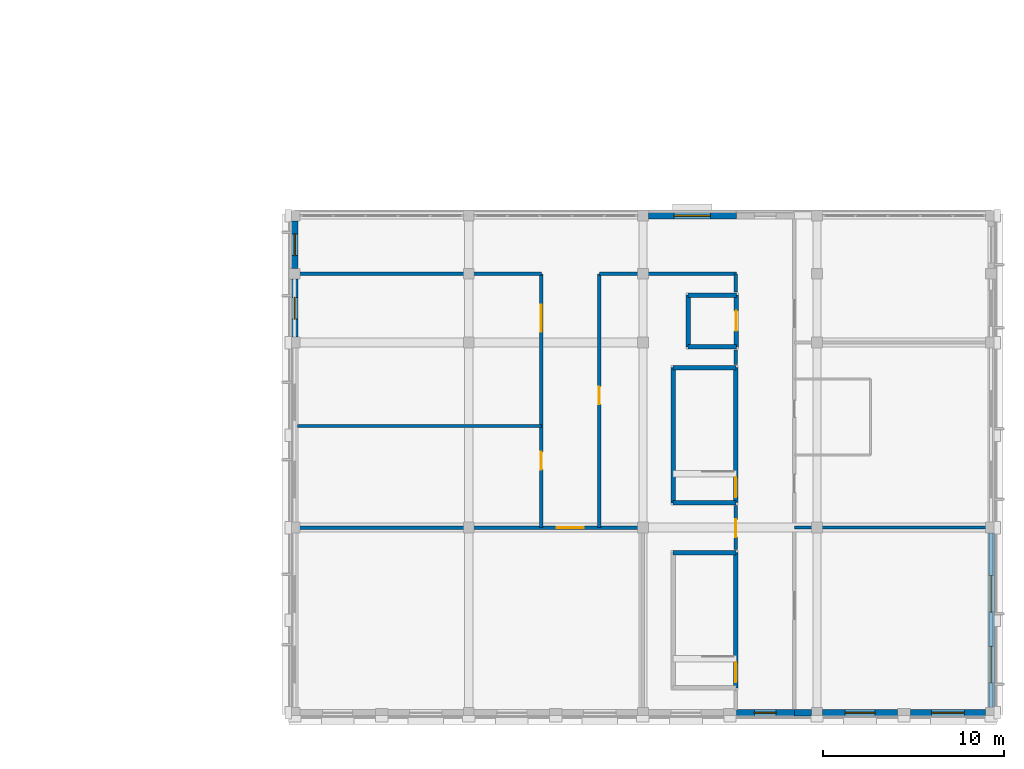
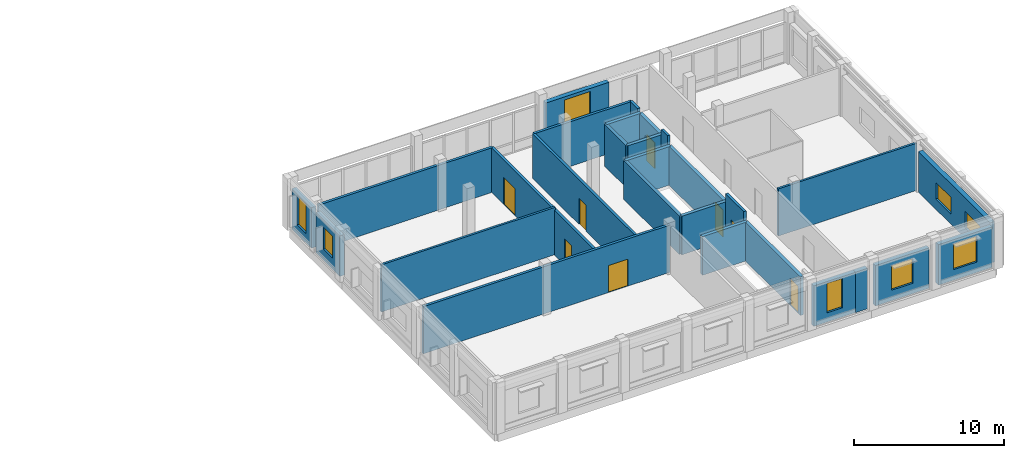
# One storey, part 83 of 93: 28 walls, 8 doors, 8 windows, 16 openings.
"""IFC4 building model written with IfcOpenShell, lengths in metres."""

from ifc_helpers import new_model, si_unit, direction, frame, frame_2d, origin, place, context, subcontext, project, spatial, rectangle, extrude, material, layer, layer_set, type_object, element, fill, save


model = new_model("IFC4")

# Units and contexts
model_context = context("Model", 3, precision=1e-05, world=origin(), true_north=direction((0.0, 1.0)))
body_context = subcontext(model_context, "Body", "Model", "MODEL_VIEW")
ifc_project = project(units=[si_unit("LENGTHUNIT", "METRE"), si_unit("AREAUNIT", "SQUARE_METRE"), si_unit("VOLUMEUNIT", "CUBIC_METRE"), si_unit("PLANEANGLEUNIT", "RADIAN"), si_unit("MASSUNIT", "GRAM", prefix="KILO")], contexts=[model_context])

# Site, building, storey
site_placement = place(None, origin())
site = spatial("IfcSite", under=ifc_project, at=site_placement, CompositionType="ELEMENT")
building_placement = place(site_placement, origin())
building = spatial("IfcBuilding", under=site, at=building_placement, Name="Vondelvale Polytechnic", CompositionType="ELEMENT")
storey_placement = place(building_placement, frame((0.0, 0.0, 18.0)))
storey = spatial("IfcBuildingStorey", under=building, at=storey_placement, Name="L04", CompositionType="ELEMENT", Elevation=18.0)

# Wall, opening, window
ifc_material_1 = material(Name="Amsterdam School iron-spot clinker clay brickwork", Category="masonry")
ifc_layer_1 = layer(ifc_material_1, 0.35009765625)
ifc_layer_set_1 = layer_set([ifc_layer_1], Name="WL-BRICK-350")
wall_type_1 = type_object("IfcWallType", Name="WL-BRICK-350", PredefinedType="SOLIDWALL", material=ifc_layer_set_1)
wall_1_placement = place(storey_placement, frame((161.949951171875, 0.0, 0.0), z_axis=(0.0, 0.0, 1.0), x_axis=(-1.0, 0.0, 0.0)))
wall_1 = element("IfcWall", 1, at=wall_1_placement, inside=storey, type_object=wall_type_1, Name="L04 exterior masonry facade wall", PredefinedType="SOLIDWALL", context=body_context, shape_type="SweptSolid", body=[
    extrude(rectangle(XDim=3.198974609375, YDim=0.35009765625, at=frame_2d((1.599609375, 0.0))), origin(), (0.0, 0.0, 1.0), 3.300048828125),
])
opening_1_placement = place(wall_1_placement, frame((0.99951171875, 0.0, 0.75)))
opening_1 = element("IfcOpeningElement", 2, at=opening_1_placement, cuts=wall_1, Name="Opening WN-0421", PredefinedType="OPENING", context=body_context, shape_type="SweptSolid", body=[
    extrude(rectangle(XDim=1.199951171875, YDim=2.39990234375, at=frame_2d((0.60009765625, 1.199951171875))), frame((0.0, 0.18505859375, 0.0), z_axis=(0.0, -1.0, 0.0), x_axis=(1.0, 0.0, 0.0)), (0.0, 0.0, 1.0), 0.3701171875),
])
ifc_material_2 = material(Name="Double-glazed low-E insulated architectural glass", Category="glass")
window_type_1 = type_object("IfcWindowType", Name="WN-ARCH-1200x2400", PartitioningType="SINGLE_PANEL", PredefinedType="WINDOW", material=ifc_material_2)
window_1_placement = place(opening_1_placement, origin())
window_1 = element("IfcWindow", 3, at=window_1_placement, inside=storey, type_object=window_type_1, Name="L04 double-glazed architectural window WN-0421", OverallHeight=2.39990234375, OverallWidth=1.199951171875, PartitioningType="SINGLE_PANEL", PredefinedType="WINDOW", context=body_context, shape_type="SweptSolid", body=[
    extrude(rectangle(XDim=1.199951171875, YDim=2.39990234375, at=frame_2d((0.60009765625, 1.199951171875))), frame((0.0, 0.030029296875, 0.0), z_axis=(0.0, -1.0, 0.0), x_axis=(1.0, 0.0, 0.0)), (0.0, 0.0, 1.0), 0.06005859375),
])
fill(opening_1, window_1)

# Wall
wall_2_placement = place(storey_placement, frame((162.89892578125, 0.0, 0.0), z_axis=(0.0, 0.0, 1.0), x_axis=(-1.0, 0.0, 0.0)))
element("IfcWall", 4, at=wall_2_placement, inside=storey, type_object=wall_type_1, Name="L04 exterior masonry facade wall", PredefinedType="SOLIDWALL", context=body_context, shape_type="SweptSolid", body=[
    extrude(rectangle(XDim=0.948974609375, YDim=0.35009765625, at=frame_2d((0.474609375, 0.0))), origin(), (0.0, 0.0, 1.0), 3.300048828125),
])

# Wall, opening, window
wall_3_placement = place(storey_placement, frame((167.64892578125, 0.0, 0.0), z_axis=(0.0, 0.0, 1.0), x_axis=(-1.0, 0.0, 0.0)))
wall_3 = element("IfcWall", 5, at=wall_3_placement, inside=storey, type_object=wall_type_1, Name="L04 exterior masonry facade wall", PredefinedType="SOLIDWALL", context=body_context, shape_type="SweptSolid", body=[
    extrude(rectangle(XDim=4.14794921875, YDim=0.35009765625, at=frame_2d((2.073974609375, 0.0))), origin(), (0.0, 0.0, 1.0), 3.300048828125),
])
opening_2_placement = place(wall_3_placement, frame((1.2490234375, 0.0, 0.85009765625)))
opening_2 = element("IfcOpeningElement", 6, at=opening_2_placement, cuts=wall_3, Name="Opening WN-0422", PredefinedType="OPENING", context=body_context, shape_type="SweptSolid", body=[
    extrude(rectangle(XDim=1.64990234375, YDim=2.0, at=frame_2d((0.824951171875, 1.0))), frame((0.0, 0.18505859375, 0.0), z_axis=(0.0, -1.0, 0.0), x_axis=(1.0, 0.0, 0.0)), (0.0, 0.0, 1.0), 0.3701171875),
])
window_type_2 = type_object("IfcWindowType", Name="WN-LAB-1650x2000", PartitioningType="SINGLE_PANEL", PredefinedType="WINDOW", material=ifc_material_2)
window_2_placement = place(opening_2_placement, origin())
window_2 = element("IfcWindow", 7, at=window_2_placement, inside=storey, type_object=window_type_2, Name="L04 double-glazed architectural window WN-0422", OverallHeight=2.0, OverallWidth=1.64990234375, PartitioningType="SINGLE_PANEL", PredefinedType="WINDOW", context=body_context, shape_type="SweptSolid", body=[
    extrude(rectangle(XDim=1.64990234375, YDim=2.0, at=frame_2d((0.824951171875, 1.0))), frame((0.0, 0.030029296875, 0.0), z_axis=(0.0, -1.0, 0.0), x_axis=(1.0, 0.0, 0.0)), (0.0, 0.0, 1.0), 0.06005859375),
])
fill(opening_2, window_2)

wall_4_placement = place(storey_placement, frame((172.4990234375, 0.0, 0.0), z_axis=(0.0, 0.0, 1.0), x_axis=(-1.0, 0.0, 0.0)))
wall_4 = element("IfcWall", 8, at=wall_4_placement, inside=storey, type_object=wall_type_1, Name="L04 exterior masonry facade wall", PredefinedType="SOLIDWALL", context=body_context, shape_type="SweptSolid", body=[
    extrude(rectangle(XDim=4.14794921875, YDim=0.35009765625, at=frame_2d((2.073974609375, 0.0))), origin(), (0.0, 0.0, 1.0), 3.300048828125),
])
opening_3_placement = place(wall_4_placement, frame((1.174072265625, 0.0, 0.85009765625)))
opening_3 = element("IfcOpeningElement", 9, at=opening_3_placement, cuts=wall_4, Name="Opening WN-0423", PredefinedType="OPENING", context=body_context, shape_type="SweptSolid", body=[
    extrude(rectangle(XDim=1.800048828125, YDim=2.10009765625, at=frame_2d((0.89990234375, 1.050048828125))), frame((0.0, 0.18505859375, 0.0), z_axis=(0.0, -1.0, 0.0), x_axis=(1.0, 0.0, 0.0)), (0.0, 0.0, 1.0), 0.3701171875),
])
window_type_3 = type_object("IfcWindowType", Name="WN-LAB-1800x2100", PartitioningType="SINGLE_PANEL", PredefinedType="WINDOW", material=ifc_material_2)
window_3_placement = place(opening_3_placement, origin())
window_3 = element("IfcWindow", 10, at=window_3_placement, inside=storey, type_object=window_type_3, Name="L04 double-glazed architectural window WN-0423", OverallHeight=2.10009765625, OverallWidth=1.800048828125, PartitioningType="SINGLE_PANEL", PredefinedType="WINDOW", context=body_context, shape_type="SweptSolid", body=[
    extrude(rectangle(XDim=1.800048828125, YDim=2.10009765625, at=frame_2d((0.89990234375, 1.050048828125))), frame((0.0, 0.030029296875, 0.0), z_axis=(0.0, -1.0, 0.0), x_axis=(1.0, 0.0, 0.0)), (0.0, 0.0, 1.0), 0.06005859375),
])
fill(opening_3, window_3)

wall_5_placement = place(storey_placement, frame((134.39990234375, 20.700927734375, 0.0), z_axis=(0.0, 0.0, 1.0), x_axis=(0.0, 1.0, 0.0)))
wall_5 = element("IfcWall", 11, at=wall_5_placement, inside=storey, type_object=wall_type_1, Name="L04 exterior masonry facade wall", PredefinedType="SOLIDWALL", context=body_context, shape_type="SweptSolid", body=[
    extrude(rectangle(XDim=3.197998046875, YDim=0.35009765625, at=frame_2d((1.59912109375, 0.0))), origin(), (0.0, 0.0, 1.0), 3.300048828125),
])
opening_4_placement = place(wall_5_placement, frame((0.9990234375, 0.0, 0.89990234375)))
opening_4 = element("IfcOpeningElement", 12, at=opening_4_placement, cuts=wall_5, Name="Opening WN-0428", PredefinedType="OPENING", context=body_context, shape_type="SweptSolid", body=[
    extrude(rectangle(XDim=1.199951171875, YDim=1.800048828125, at=frame_2d((0.60009765625, 0.89990234375))), frame((0.0, 0.18505859375, 0.0), z_axis=(0.0, -1.0, 0.0), x_axis=(1.0, 0.0, 0.0)), (0.0, 0.0, 1.0), 0.3701171875),
])
window_type_4 = type_object("IfcWindowType", Name="WN-OFF-1200x1800", PartitioningType="SINGLE_PANEL", PredefinedType="WINDOW", material=ifc_material_2)
window_4_placement = place(opening_4_placement, origin())
window_4 = element("IfcWindow", 13, at=window_4_placement, inside=storey, type_object=window_type_4, Name="L04 double-glazed architectural window WN-0428", OverallHeight=1.800048828125, OverallWidth=1.199951171875, PartitioningType="SINGLE_PANEL", PredefinedType="WINDOW", context=body_context, shape_type="SweptSolid", body=[
    extrude(rectangle(XDim=1.199951171875, YDim=1.800048828125, at=frame_2d((0.60009765625, 0.89990234375))), frame((0.0, 0.030029296875, 0.0), z_axis=(0.0, -1.0, 0.0), x_axis=(1.0, 0.0, 0.0)), (0.0, 0.0, 1.0), 0.06005859375),
])
fill(opening_4, window_4)

wall_6_placement = place(storey_placement, frame((134.39990234375, 24.5009765625, 0.0), z_axis=(0.0, 0.0, 1.0), x_axis=(0.0, 1.0, 0.0)))
wall_6 = element("IfcWall", 14, at=wall_6_placement, inside=storey, type_object=wall_type_1, Name="L04 exterior masonry facade wall", PredefinedType="SOLIDWALL", context=body_context, shape_type="SweptSolid", body=[
    extrude(rectangle(XDim=2.59814453125, YDim=0.35009765625, at=frame_2d((1.299072265625, 0.0))), origin(), (0.0, 0.0, 1.0), 3.300048828125),
])
opening_5_placement = place(wall_6_placement, frame((0.698974609375, 0.0, 0.75)))
opening_5 = element("IfcOpeningElement", 15, at=opening_5_placement, cuts=wall_6, Name="Opening WN-0429", PredefinedType="OPENING", context=body_context, shape_type="SweptSolid", body=[
    extrude(rectangle(XDim=1.199951171875, YDim=2.39990234375, at=frame_2d((0.60009765625, 1.199951171875))), frame((0.0, 0.18505859375, 0.0), z_axis=(0.0, -1.0, 0.0), x_axis=(1.0, 0.0, 0.0)), (0.0, 0.0, 1.0), 0.3701171875),
])
window_5_placement = place(opening_5_placement, origin())
window_5 = element("IfcWindow", 16, at=window_5_placement, inside=storey, type_object=window_type_1, Name="L04 double-glazed architectural window WN-0429", OverallHeight=2.39990234375, OverallWidth=1.199951171875, PartitioningType="SINGLE_PANEL", PredefinedType="WINDOW", context=body_context, shape_type="SweptSolid", body=[
    extrude(rectangle(XDim=1.199951171875, YDim=2.39990234375, at=frame_2d((0.60009765625, 1.199951171875))), frame((0.0, 0.030029296875, 0.0), z_axis=(0.0, -1.0, 0.0), x_axis=(1.0, 0.0, 0.0)), (0.0, 0.0, 1.0), 0.06005859375),
])
fill(opening_5, window_5)

# Wall, openings, windows
wall_7_placement = place(storey_placement, frame((172.800048828125, 9.89892578125, 0.0), z_axis=(0.0, 0.0, 1.0), x_axis=(0.0, -1.0, 0.0)))
wall_7 = element("IfcWall", 17, at=wall_7_placement, inside=storey, type_object=wall_type_1, Name="L04 exterior masonry facade wall", PredefinedType="SOLIDWALL", context=body_context, shape_type="SweptSolid", body=[
    extrude(rectangle(XDim=9.597900390625, YDim=0.35009765625, at=frame_2d((4.798828125, 0.0))), origin(), (0.0, 0.0, 1.0), 3.300048828125),
])
opening_6_placement = place(wall_7_placement, frame((6.248046875, 0.0, 0.85009765625)))
opening_6 = element("IfcOpeningElement", 18, at=opening_6_placement, cuts=wall_7, Name="Opening WN-0430", PredefinedType="OPENING", context=body_context, shape_type="SweptSolid", body=[
    extrude(rectangle(XDim=2.0, YDim=1.35009765625, at=frame_2d((1.0, 0.675048828125))), frame((0.0, 0.18505859375, 0.0), z_axis=(0.0, -1.0, 0.0), x_axis=(1.0, 0.0, 0.0)), (0.0, 0.0, 1.0), 0.3701171875),
])
opening_7_placement = place(wall_7_placement, frame((2.347900390625, 0.0, 0.85009765625)))
opening_7 = element("IfcOpeningElement", 19, at=opening_7_placement, cuts=wall_7, Name="Opening WN-0431", PredefinedType="OPENING", context=body_context, shape_type="SweptSolid", body=[
    extrude(rectangle(XDim=2.0, YDim=1.35009765625, at=frame_2d((1.0, 0.675048828125))), frame((0.0, 0.18505859375, 0.0), z_axis=(0.0, -1.0, 0.0), x_axis=(1.0, 0.0, 0.0)), (0.0, 0.0, 1.0), 0.3701171875),
])
window_type_5 = type_object("IfcWindowType", Name="WN-RIB-2000x1350", PartitioningType="SINGLE_PANEL", PredefinedType="WINDOW", material=ifc_material_2)
window_6_placement = place(opening_6_placement, origin())
window_6 = element("IfcWindow", 20, at=window_6_placement, inside=storey, type_object=window_type_5, Name="L04 double-glazed architectural window WN-0430", OverallHeight=1.35009765625, OverallWidth=2.0, PartitioningType="SINGLE_PANEL", PredefinedType="WINDOW", context=body_context, shape_type="SweptSolid", body=[
    extrude(rectangle(XDim=2.0, YDim=1.35009765625, at=frame_2d((1.0, 0.675048828125))), frame((0.0, 0.030029296875, 0.0), z_axis=(0.0, -1.0, 0.0), x_axis=(1.0, 0.0, 0.0)), (0.0, 0.0, 1.0), 0.06005859375),
])
fill(opening_6, window_6)
window_7_placement = place(opening_7_placement, origin())
window_7 = element("IfcWindow", 21, at=window_7_placement, inside=storey, type_object=window_type_5, Name="L04 double-glazed architectural window WN-0431", OverallHeight=1.35009765625, OverallWidth=2.0, PartitioningType="SINGLE_PANEL", PredefinedType="WINDOW", context=body_context, shape_type="SweptSolid", body=[
    extrude(rectangle(XDim=2.0, YDim=1.35009765625, at=frame_2d((1.0, 0.675048828125))), frame((0.0, 0.030029296875, 0.0), z_axis=(0.0, -1.0, 0.0), x_axis=(1.0, 0.0, 0.0)), (0.0, 0.0, 1.0), 0.06005859375),
])
fill(opening_7, window_7)

# Wall, opening, window
wall_8_placement = place(storey_placement, frame((153.90087890625, 27.39990234375, 0.0), z_axis=(0.0, 0.0, 1.0), x_axis=(1.0, 0.0, 0.0)))
wall_8 = element("IfcWall", 22, at=wall_8_placement, inside=storey, type_object=wall_type_1, Name="L04 exterior masonry facade wall", PredefinedType="SOLIDWALL", context=body_context, shape_type="SweptSolid", body=[
    extrude(rectangle(XDim=4.84912109375, YDim=0.35009765625, at=frame_2d((2.424560546875, 0.0))), origin(), (0.0, 0.0, 1.0), 3.300048828125),
])
opening_8_placement = place(wall_8_placement, frame((1.424560546875, 0.0, 0.85009765625)))
opening_8 = element("IfcOpeningElement", 23, at=opening_8_placement, cuts=wall_8, Name="Opening WN-0436", PredefinedType="OPENING", context=body_context, shape_type="SweptSolid", body=[
    extrude(rectangle(XDim=2.0, YDim=2.199951171875, at=frame_2d((1.0, 1.10009765625))), frame((0.0, 0.18505859375, 0.0), z_axis=(0.0, -1.0, 0.0), x_axis=(1.0, 0.0, 0.0)), (0.0, 0.0, 1.0), 0.3701171875),
])
window_type_6 = type_object("IfcWindowType", Name="WN-STUDIO-2000x2200", PartitioningType="SINGLE_PANEL", PredefinedType="WINDOW", material=ifc_material_2)
window_8_placement = place(opening_8_placement, origin())
window_8 = element("IfcWindow", 24, at=window_8_placement, inside=storey, type_object=window_type_6, Name="L04 double-glazed architectural window WN-0436", OverallHeight=2.199951171875, OverallWidth=2.0, PartitioningType="SINGLE_PANEL", PredefinedType="WINDOW", context=body_context, shape_type="SweptSolid", body=[
    extrude(rectangle(XDim=2.0, YDim=2.199951171875, at=frame_2d((1.0, 1.10009765625))), frame((0.0, 0.030029296875, 0.0), z_axis=(0.0, -1.0, 0.0), x_axis=(1.0, 0.0, 0.0)), (0.0, 0.0, 1.0), 0.06005859375),
])
fill(opening_8, window_8)

# Wall, opening, door
ifc_material_3 = material(Name="Concrete N40 (f'c = 40 MPa)", Category="concrete")
ifc_layer_2 = layer(ifc_material_3, 0.25)
ifc_layer_set_2 = layer_set([ifc_layer_2], Name="WL-CORE-250")
wall_type_2 = type_object("IfcWallType", Name="WL-CORE-250", PredefinedType="SOLIDWALL", material=ifc_layer_set_2)
wall_9_placement = place(storey_placement, frame((158.72509765625, 1.375, 0.0), z_axis=(0.0, 0.0, 1.0), x_axis=(0.0, 1.0, 0.0)))
wall_9 = element("IfcWall", 25, at=wall_9_placement, inside=storey, type_object=wall_type_2, Name="L04 ST-06 reinforced concrete stair core wall", PredefinedType="SOLIDWALL", context=body_context, shape_type="SweptSolid", body=[
    extrude(rectangle(XDim=7.449951171875, YDim=0.25, at=frame_2d((3.72509765625, 0.0))), origin(), (0.0, 0.0, 1.0), 3.14990234375),
])
opening_9_placement = place(wall_9_placement, frame((0.300048828125, 0.0, 0.0)))
opening_9 = element("IfcOpeningElement", 26, at=opening_9_placement, cuts=wall_9, Name="Opening SD-038", PredefinedType="OPENING", context=body_context, shape_type="SweptSolid", body=[
    extrude(rectangle(XDim=1.10009765625, YDim=2.199951171875, at=frame_2d((0.550048828125, 1.10009765625))), frame((0.0, 0.135009765625, 0.0), z_axis=(0.0, -1.0, 0.0), x_axis=(1.0, 0.0, 0.0)), (0.0, 0.0, 1.0), 0.27001953125),
])
ifc_material_4 = material(Name="Brushed architectural stainless and zinc-coated metal")
door_type_1 = type_object("IfcDoorType", Name="DR-STAIR-1100x2200", OperationType="SINGLE_SWING_LEFT", PredefinedType="DOOR", material=ifc_material_4)
door_1_placement = place(opening_9_placement, origin())
door_1 = element("IfcDoor", 27, at=door_1_placement, inside=storey, type_object=door_type_1, Name="L04 ST-06 fire-isolated stair door", OperationType="SINGLE_SWING_RIGHT", OverallHeight=2.199951171875, OverallWidth=1.10009765625, PredefinedType="DOOR", context=body_context, shape_type="SweptSolid", body=[
    extrude(rectangle(XDim=1.10009765625, YDim=2.199951171875, at=frame_2d((0.550048828125, 1.10009765625))), frame((0.0, 0.02490234375, 0.0), z_axis=(0.0, -1.0, 0.0), x_axis=(1.0, 0.0, 0.0)), (0.0, 0.0, 1.0), 0.050048828125),
])
fill(opening_9, door_1)

# Wall
wall_10_placement = place(storey_placement, frame((158.72509765625, 8.824951171875, 0.0), z_axis=(0.0, 0.0, 1.0), x_axis=(-1.0, 0.0, 0.0)))
element("IfcWall", 28, at=wall_10_placement, inside=storey, type_object=wall_type_2, Name="L04 ST-06 reinforced concrete stair core wall", PredefinedType="SOLIDWALL", context=body_context, shape_type="SweptSolid", body=[
    extrude(rectangle(XDim=3.4501953125, YDim=0.25, at=frame_2d((1.72509765625, 0.0))), origin(), (0.0, 0.0, 1.0), 3.14990234375),
])

# Wall, opening, door
wall_11_placement = place(storey_placement, frame((158.72509765625, 11.574951171875, 0.0), z_axis=(0.0, 0.0, 1.0), x_axis=(0.0, 1.0, 0.0)))
wall_11 = element("IfcWall", 29, at=wall_11_placement, inside=storey, type_object=wall_type_2, Name="L04 ST-07 reinforced concrete stair core wall", PredefinedType="SOLIDWALL", context=body_context, shape_type="SweptSolid", body=[
    extrude(rectangle(XDim=7.449951171875, YDim=0.25, at=frame_2d((3.72509765625, 0.0))), origin(), (0.0, 0.0, 1.0), 3.14990234375),
])
opening_10_placement = place(wall_11_placement, frame((0.300048828125, 0.0, 0.0)))
opening_10 = element("IfcOpeningElement", 30, at=opening_10_placement, cuts=wall_11, Name="Opening SD-044", PredefinedType="OPENING", context=body_context, shape_type="SweptSolid", body=[
    extrude(rectangle(XDim=1.10009765625, YDim=2.199951171875, at=frame_2d((0.550048828125, 1.10009765625))), frame((0.0, 0.135009765625, 0.0), z_axis=(0.0, -1.0, 0.0), x_axis=(1.0, 0.0, 0.0)), (0.0, 0.0, 1.0), 0.27001953125),
])
door_2_placement = place(opening_10_placement, origin())
door_2 = element("IfcDoor", 31, at=door_2_placement, inside=storey, type_object=door_type_1, Name="L04 ST-07 fire-isolated stair door", OperationType="SINGLE_SWING_RIGHT", OverallHeight=2.199951171875, OverallWidth=1.10009765625, PredefinedType="DOOR", context=body_context, shape_type="SweptSolid", body=[
    extrude(rectangle(XDim=1.10009765625, YDim=2.199951171875, at=frame_2d((0.550048828125, 1.10009765625))), frame((0.0, 0.02490234375, 0.0), z_axis=(0.0, -1.0, 0.0), x_axis=(1.0, 0.0, 0.0)), (0.0, 0.0, 1.0), 0.050048828125),
])
fill(opening_10, door_2)

# Walls
wall_12_placement = place(storey_placement, frame((158.72509765625, 19.02490234375, 0.0), z_axis=(0.0, 0.0, 1.0), x_axis=(-1.0, 0.0, 0.0)))
element("IfcWall", 32, at=wall_12_placement, inside=storey, type_object=wall_type_2, Name="L04 ST-07 reinforced concrete stair core wall", PredefinedType="SOLIDWALL", context=body_context, shape_type="SweptSolid", body=[
    extrude(rectangle(XDim=3.4501953125, YDim=0.25, at=frame_2d((1.72509765625, 0.0))), origin(), (0.0, 0.0, 1.0), 3.14990234375),
])
wall_13_placement = place(storey_placement, frame((155.27490234375, 19.02490234375, 0.0), z_axis=(0.0, 0.0, 1.0), x_axis=(0.0, -1.0, 0.0)))
element("IfcWall", 33, at=wall_13_placement, inside=storey, type_object=wall_type_2, Name="L04 ST-07 reinforced concrete stair core wall", PredefinedType="SOLIDWALL", context=body_context, shape_type="SweptSolid", body=[
    extrude(rectangle(XDim=7.449951171875, YDim=0.25, at=frame_2d((3.72509765625, 0.0))), origin(), (0.0, 0.0, 1.0), 3.14990234375),
])
wall_14_placement = place(storey_placement, frame((155.27490234375, 11.574951171875, 0.0), z_axis=(0.0, 0.0, 1.0), x_axis=(1.0, 0.0, 0.0)))
element("IfcWall", 34, at=wall_14_placement, inside=storey, type_object=wall_type_2, Name="L04 ST-07 reinforced concrete stair core wall", PredefinedType="SOLIDWALL", context=body_context, shape_type="SweptSolid", body=[
    extrude(rectangle(XDim=3.4501953125, YDim=0.25, at=frame_2d((1.72509765625, 0.0))), origin(), (0.0, 0.0, 1.0), 3.14990234375),
])

# Wall, opening, door
ifc_material_5 = material(Name="Fire-rated double-layer plasterboard stud partition")
ifc_layer_3 = layer(ifc_material_5, 0.199951171875)
ifc_layer_set_3 = layer_set([ifc_layer_3], Name="WL-CORR-200")
wall_type_3 = type_object("IfcWallType", Name="WL-CORR-200", PredefinedType="PARTITIONING", material=ifc_layer_set_3)
wall_15_placement = place(storey_placement, frame((134.550048828125, 10.199951171875, 0.0), z_axis=(0.0, 0.0, 1.0), x_axis=(1.0, 0.0, 0.0)))
wall_15 = element("IfcWall", 35, at=wall_15_placement, inside=storey, type_object=wall_type_3, Name="L04 interior acoustic partition", PredefinedType="PARTITIONING", context=body_context, shape_type="SweptSolid", body=[
    extrude(rectangle(XDim=19.050048828125, YDim=0.199951171875, at=frame_2d((9.52490234375, 0.0))), origin(), (0.0, 0.0, 1.0), 3.85009765625),
])
opening_11_placement = place(wall_15_placement, frame((14.300048828125, 0.0, 0.0)))
opening_11 = element("IfcOpeningElement", 36, at=opening_11_placement, cuts=wall_15, Name="Opening ID-0263", PredefinedType="OPENING", context=body_context, shape_type="SweptSolid", body=[
    extrude(rectangle(XDim=1.5, YDim=2.199951171875, at=frame_2d((0.75, 1.10009765625))), frame((0.0, 0.10986328125, 0.0), z_axis=(0.0, -1.0, 0.0), x_axis=(1.0, 0.0, 0.0)), (0.0, 0.0, 1.0), 0.219970703125),
])
ifc_material_6 = material(Name="Fire-rated solid Tasmanian oak joinery")
door_type_2 = type_object("IfcDoorType", Name="DR-LAB-1500x2200", OperationType="DOUBLE_DOOR_SINGLE_SWING", PredefinedType="DOOR", material=ifc_material_6)
door_3_placement = place(opening_11_placement, origin())
door_3 = element("IfcDoor", 37, at=door_3_placement, inside=storey, type_object=door_type_2, Name="L04 interior room door ID-0263", OperationType="DOUBLE_DOOR_SINGLE_SWING", OverallHeight=2.199951171875, OverallWidth=1.5, PredefinedType="DOOR", context=body_context, shape_type="SweptSolid", body=[
    extrude(rectangle(XDim=1.5, YDim=2.199951171875, at=frame_2d((0.75, 1.10009765625))), frame((0.0, 0.02490234375, 0.0), z_axis=(0.0, -1.0, 0.0), x_axis=(1.0, 0.0, 0.0)), (0.0, 0.0, 1.0), 0.050048828125),
])
fill(opening_11, door_3)

# Wall, openings, doors
wall_16_placement = place(storey_placement, frame((148.0, 10.199951171875, 0.0), z_axis=(0.0, 0.0, 1.0), x_axis=(0.0, 1.0, 0.0)))
wall_16 = element("IfcWall", 38, at=wall_16_placement, inside=storey, type_object=wall_type_3, Name="L04 interior acoustic partition", PredefinedType="PARTITIONING", context=body_context, shape_type="SweptSolid", body=[
    extrude(rectangle(XDim=14.0, YDim=0.199951171875, at=frame_2d((7.0, 0.0))), origin(), (0.0, 0.0, 1.0), 3.64111328125),
])
opening_12_placement = place(wall_16_placement, frame((3.199951171875, 0.0, 0.0)))
opening_12 = element("IfcOpeningElement", 39, at=opening_12_placement, cuts=wall_16, Name="Opening ID-0264", PredefinedType="OPENING", context=body_context, shape_type="SweptSolid", body=[
    extrude(rectangle(XDim=0.97998046875, YDim=2.14990234375, at=frame_2d((0.489990234375, 1.074951171875))), frame((0.0, 0.10986328125, 0.0), z_axis=(0.0, -1.0, 0.0), x_axis=(1.0, 0.0, 0.0)), (0.0, 0.0, 1.0), 0.219970703125),
])
opening_13_placement = place(wall_16_placement, frame((10.800048828125, 0.0, 0.0)))
opening_13 = element("IfcOpeningElement", 40, at=opening_13_placement, cuts=wall_16, Name="Opening ID-0265", PredefinedType="OPENING", context=body_context, shape_type="SweptSolid", body=[
    extrude(rectangle(XDim=1.5, YDim=2.199951171875, at=frame_2d((0.75, 1.10009765625))), frame((0.0, 0.10986328125, 0.0), z_axis=(0.0, -1.0, 0.0), x_axis=(1.0, 0.0, 0.0)), (0.0, 0.0, 1.0), 0.219970703125),
])
door_type_3 = type_object("IfcDoorType", Name="DR-INT-0980x2150", OperationType="SINGLE_SWING_RIGHT", PredefinedType="DOOR", material=ifc_material_6)
door_4_placement = place(opening_12_placement, origin())
door_4 = element("IfcDoor", 41, at=door_4_placement, inside=storey, type_object=door_type_3, Name="L04 interior room door ID-0264", OperationType="SINGLE_SWING_RIGHT", OverallHeight=2.14990234375, OverallWidth=0.97998046875, PredefinedType="DOOR", context=body_context, shape_type="SweptSolid", body=[
    extrude(rectangle(XDim=0.97998046875, YDim=2.14990234375, at=frame_2d((0.489990234375, 1.074951171875))), frame((0.0, 0.02490234375, 0.0), z_axis=(0.0, -1.0, 0.0), x_axis=(1.0, 0.0, 0.0)), (0.0, 0.0, 1.0), 0.050048828125),
])
fill(opening_12, door_4)
door_5_placement = place(opening_13_placement, origin())
door_5 = element("IfcDoor", 42, at=door_5_placement, inside=storey, type_object=door_type_2, Name="L04 interior room door ID-0265", OperationType="DOUBLE_DOOR_SINGLE_SWING", OverallHeight=2.199951171875, OverallWidth=1.5, PredefinedType="DOOR", context=body_context, shape_type="SweptSolid", body=[
    extrude(rectangle(XDim=1.5, YDim=2.199951171875, at=frame_2d((0.75, 1.10009765625))), frame((0.0, 0.02490234375, 0.0), z_axis=(0.0, -1.0, 0.0), x_axis=(1.0, 0.0, 0.0)), (0.0, 0.0, 1.0), 0.050048828125),
])
fill(opening_13, door_5)

# Wall, opening, door
wall_17_placement = place(storey_placement, frame((151.199951171875, 10.199951171875, 0.0), z_axis=(0.0, 0.0, 1.0), x_axis=(0.0, 1.0, 0.0)))
wall_17 = element("IfcWall", 43, at=wall_17_placement, inside=storey, type_object=wall_type_3, Name="L04 interior acoustic partition", PredefinedType="PARTITIONING", context=body_context, shape_type="SweptSolid", body=[
    extrude(rectangle(XDim=14.0, YDim=0.199951171875, at=frame_2d((7.0, 0.0))), origin(), (0.0, 0.0, 1.0), 3.64111328125),
])
opening_14_placement = place(wall_17_placement, frame((6.800048828125, 0.0, 0.0)))
opening_14 = element("IfcOpeningElement", 44, at=opening_14_placement, cuts=wall_17, Name="Opening ID-0266", PredefinedType="OPENING", context=body_context, shape_type="SweptSolid", body=[
    extrude(rectangle(XDim=0.97998046875, YDim=2.14990234375, at=frame_2d((0.489990234375, 1.074951171875))), frame((0.0, 0.10986328125, 0.0), z_axis=(0.0, -1.0, 0.0), x_axis=(1.0, 0.0, 0.0)), (0.0, 0.0, 1.0), 0.219970703125),
])
door_6_placement = place(opening_14_placement, origin())
door_6 = element("IfcDoor", 45, at=door_6_placement, inside=storey, type_object=door_type_3, Name="L04 interior room door ID-0266", OperationType="SINGLE_SWING_RIGHT", OverallHeight=2.14990234375, OverallWidth=0.97998046875, PredefinedType="DOOR", context=body_context, shape_type="SweptSolid", body=[
    extrude(rectangle(XDim=0.97998046875, YDim=2.14990234375, at=frame_2d((0.489990234375, 1.074951171875))), frame((0.0, 0.02490234375, 0.0), z_axis=(0.0, -1.0, 0.0), x_axis=(1.0, 0.0, 0.0)), (0.0, 0.0, 1.0), 0.050048828125),
])
fill(opening_14, door_6)

# Walls
wall_18_placement = place(storey_placement, frame((134.550048828125, 24.199951171875, 0.0), z_axis=(0.0, 0.0, 1.0), x_axis=(1.0, 0.0, 0.0)))
element("IfcWall", 46, at=wall_18_placement, inside=storey, type_object=wall_type_3, Name="L04 interior acoustic partition", PredefinedType="PARTITIONING", context=body_context, shape_type="SweptSolid", body=[
    extrude(rectangle(XDim=13.449951171875, YDim=0.199951171875, at=frame_2d((6.72509765625, 0.0))), origin(), (0.0, 0.0, 1.0), 3.64111328125),
])
wall_19_placement = place(storey_placement, frame((151.199951171875, 24.199951171875, 0.0), z_axis=(0.0, 0.0, 1.0), x_axis=(1.0, 0.0, 0.0)))
element("IfcWall", 47, at=wall_19_placement, inside=storey, type_object=wall_type_3, Name="L04 interior acoustic partition", PredefinedType="PARTITIONING", context=body_context, shape_type="SweptSolid", body=[
    extrude(rectangle(XDim=7.550048828125, YDim=0.199951171875, at=frame_2d((3.77490234375, 0.0))), origin(), (0.0, 0.0, 1.0), 3.64111328125),
])

# Wall, opening, door
wall_20_placement = place(storey_placement, frame((158.72509765625, 8.989990234375, 0.0), z_axis=(0.0, 0.0, 1.0), x_axis=(0.0, 1.0, 0.0)))
wall_20 = element("IfcWall", 48, at=wall_20_placement, inside=storey, type_object=wall_type_3, Name="L04 interior acoustic partition", PredefinedType="PARTITIONING", context=body_context, shape_type="SweptSolid", body=[
    extrude(rectangle(XDim=2.419921875, YDim=0.199951171875, at=frame_2d((1.2099609375, 0.0))), origin(), (0.0, 0.0, 1.0), 3.85009765625),
])
opening_15_placement = place(wall_20_placement, frame((0.68505859375, 0.0, 0.0)))
opening_15 = element("IfcOpeningElement", 49, at=opening_15_placement, cuts=wall_20, Name="Opening ID-0267", PredefinedType="OPENING", context=body_context, shape_type="SweptSolid", body=[
    extrude(rectangle(XDim=0.97998046875, YDim=2.14990234375, at=frame_2d((0.489990234375, 1.074951171875))), frame((0.0, 0.10986328125, 0.0), z_axis=(0.0, -1.0, 0.0), x_axis=(1.0, 0.0, 0.0)), (0.0, 0.0, 1.0), 0.219970703125),
])
door_7_placement = place(opening_15_placement, origin())
door_7 = element("IfcDoor", 50, at=door_7_placement, inside=storey, type_object=door_type_3, Name="L04 interior room door ID-0267", OperationType="SINGLE_SWING_LEFT", OverallHeight=2.14990234375, OverallWidth=0.97998046875, PredefinedType="DOOR", context=body_context, shape_type="SweptSolid", body=[
    extrude(rectangle(XDim=0.97998046875, YDim=2.14990234375, at=frame_2d((0.489990234375, 1.074951171875))), frame((0.0, 0.02490234375, 0.0), z_axis=(0.0, -1.0, 0.0), x_axis=(1.0, 0.0, 0.0)), (0.0, 0.0, 1.0), 0.050048828125),
])
fill(opening_15, door_7)

# Walls
wall_21_placement = place(storey_placement, frame((158.72509765625, 19.18994140625, 0.0), z_axis=(0.0, 0.0, 1.0), x_axis=(0.0, 1.0, 0.0)))
element("IfcWall", 51, at=wall_21_placement, inside=storey, type_object=wall_type_3, Name="L04 interior acoustic partition", PredefinedType="PARTITIONING", context=body_context, shape_type="SweptSolid", body=[
    extrude(rectangle(XDim=0.820068359375, YDim=0.199951171875, at=frame_2d((0.41015625, 0.0))), origin(), (0.0, 0.0, 1.0), 3.85009765625),
])
wall_22_placement = place(storey_placement, frame((158.72509765625, 23.18994140625, 0.0), z_axis=(0.0, 0.0, 1.0), x_axis=(0.0, 1.0, 0.0)))
element("IfcWall", 52, at=wall_22_placement, inside=storey, type_object=wall_type_3, Name="L04 interior acoustic partition", PredefinedType="PARTITIONING", context=body_context, shape_type="SweptSolid", body=[
    extrude(rectangle(XDim=1.010009765625, YDim=0.199951171875, at=frame_2d((0.5048828125, 0.0))), origin(), (0.0, 0.0, 1.0), 3.64111328125),
])
ifc_layer_4 = layer(ifc_material_5, 0.1650390625)
ifc_layer_set_4 = layer_set([ifc_layer_4], Name="WL-INT-165")
wall_type_4 = type_object("IfcWallType", Name="WL-INT-165", PredefinedType="PARTITIONING", material=ifc_layer_set_4)
wall_23_placement = place(storey_placement, frame((134.550048828125, 15.800048828125, 0.0), z_axis=(0.0, 0.0, 1.0), x_axis=(1.0, 0.0, 0.0)))
element("IfcWall", 53, at=wall_23_placement, inside=storey, type_object=wall_type_4, Name="L04 interior acoustic partition", PredefinedType="PARTITIONING", context=body_context, shape_type="SweptSolid", body=[
    extrude(rectangle(XDim=13.449951171875, YDim=0.1650390625, at=frame_2d((6.72509765625, 0.0))), origin(), (0.0, 0.0, 1.0), 3.85009765625),
])
wall_24_placement = place(storey_placement, frame((161.949951171875, 10.199951171875, 0.0), z_axis=(0.0, 0.0, 1.0), x_axis=(1.0, 0.0, 0.0)))
element("IfcWall", 54, at=wall_24_placement, inside=storey, type_object=wall_type_4, Name="L04 interior acoustic partition", PredefinedType="PARTITIONING", context=body_context, shape_type="SweptSolid", body=[
    extrude(rectangle(XDim=10.699951171875, YDim=0.1650390625, at=frame_2d((5.35009765625, 0.0))), origin(), (0.0, 0.0, 1.0), 3.85009765625),
])
ifc_layer_5 = layer(ifc_material_3, 0.25)
ifc_layer_set_5 = layer_set([ifc_layer_5], Name="WL-SHAFT-250")
wall_type_5 = type_object("IfcWallType", Name="WL-SHAFT-250", PredefinedType="SOLIDWALL", material=ifc_layer_set_5)
wall_25_placement = place(storey_placement, frame((156.10009765625, 20.175048828125, 0.0), z_axis=(0.0, 0.0, 1.0), x_axis=(1.0, 0.0, 0.0)))
element("IfcWall", 55, at=wall_25_placement, inside=storey, type_object=wall_type_5, Name="L04 PL-03 lift shaft wall S", PredefinedType="SOLIDWALL", context=body_context, shape_type="SweptSolid", body=[
    extrude(rectangle(XDim=2.64990234375, YDim=0.25, at=frame_2d((1.324951171875, 0.0))), origin(), (0.0, 0.0, 1.0), 3.39990234375),
])

# Wall, opening, door
wall_26_placement = place(storey_placement, frame((158.75, 20.175048828125, 0.0), z_axis=(0.0, 0.0, 1.0), x_axis=(0.0, 1.0, 0.0)))
wall_26 = element("IfcWall", 56, at=wall_26_placement, inside=storey, type_object=wall_type_5, Name="L04 PL-03 lift shaft wall E", PredefinedType="SOLIDWALL", context=body_context, shape_type="SweptSolid", body=[
    extrude(rectangle(XDim=2.849853515625, YDim=0.25, at=frame_2d((1.4248046875, 0.0))), origin(), (0.0, 0.0, 1.0), 3.39990234375),
])
opening_16_placement = place(wall_26_placement, frame((0.875, 0.0, 0.0)))
opening_16 = element("IfcOpeningElement", 57, at=opening_16_placement, cuts=wall_26, Name="Opening LD-041", PredefinedType="OPENING", context=body_context, shape_type="SweptSolid", body=[
    extrude(rectangle(XDim=1.10009765625, YDim=2.10009765625, at=frame_2d((0.550048828125, 1.050048828125))), frame((0.0, 0.135009765625, 0.0), z_axis=(0.0, -1.0, 0.0), x_axis=(1.0, 0.0, 0.0)), (0.0, 0.0, 1.0), 0.27001953125),
])
door_type_4 = type_object("IfcDoorType", Name="DR-LIFT-1100x2100", OperationType="SLIDING_TO_LEFT", PredefinedType="DOOR", material=ifc_material_4)
door_8_placement = place(opening_16_placement, origin())
door_8 = element("IfcDoor", 58, at=door_8_placement, inside=storey, type_object=door_type_4, Name="L04 PL-03 sliding lift landing door", OperationType="SLIDING_TO_LEFT", OverallHeight=2.10009765625, OverallWidth=1.10009765625, PredefinedType="DOOR", context=body_context, shape_type="SweptSolid", body=[
    extrude(rectangle(XDim=1.10009765625, YDim=2.10009765625, at=frame_2d((0.550048828125, 1.050048828125))), frame((0.0, 0.02490234375, 0.0), z_axis=(0.0, -1.0, 0.0), x_axis=(1.0, 0.0, 0.0)), (0.0, 0.0, 1.0), 0.050048828125),
])
fill(opening_16, door_8)

# Walls
wall_27_placement = place(storey_placement, frame((158.75, 23.02490234375, 0.0), z_axis=(0.0, 0.0, 1.0), x_axis=(-1.0, 0.0, 0.0)))
element("IfcWall", 59, at=wall_27_placement, inside=storey, type_object=wall_type_5, Name="L04 PL-03 lift shaft wall N", PredefinedType="SOLIDWALL", context=body_context, shape_type="SweptSolid", body=[
    extrude(rectangle(XDim=2.64990234375, YDim=0.25, at=frame_2d((1.324951171875, 0.0))), origin(), (0.0, 0.0, 1.0), 3.39990234375),
])
wall_28_placement = place(storey_placement, frame((156.10009765625, 23.02490234375, 0.0), z_axis=(0.0, 0.0, 1.0), x_axis=(0.0, -1.0, 0.0)))
element("IfcWall", 60, at=wall_28_placement, inside=storey, type_object=wall_type_5, Name="L04 PL-03 lift shaft wall W", PredefinedType="SOLIDWALL", context=body_context, shape_type="SweptSolid", body=[
    extrude(rectangle(XDim=2.849853515625, YDim=0.25, at=frame_2d((1.4248046875, 0.0))), origin(), (0.0, 0.0, 1.0), 3.39990234375),
])

save(model, "model.ifc")
